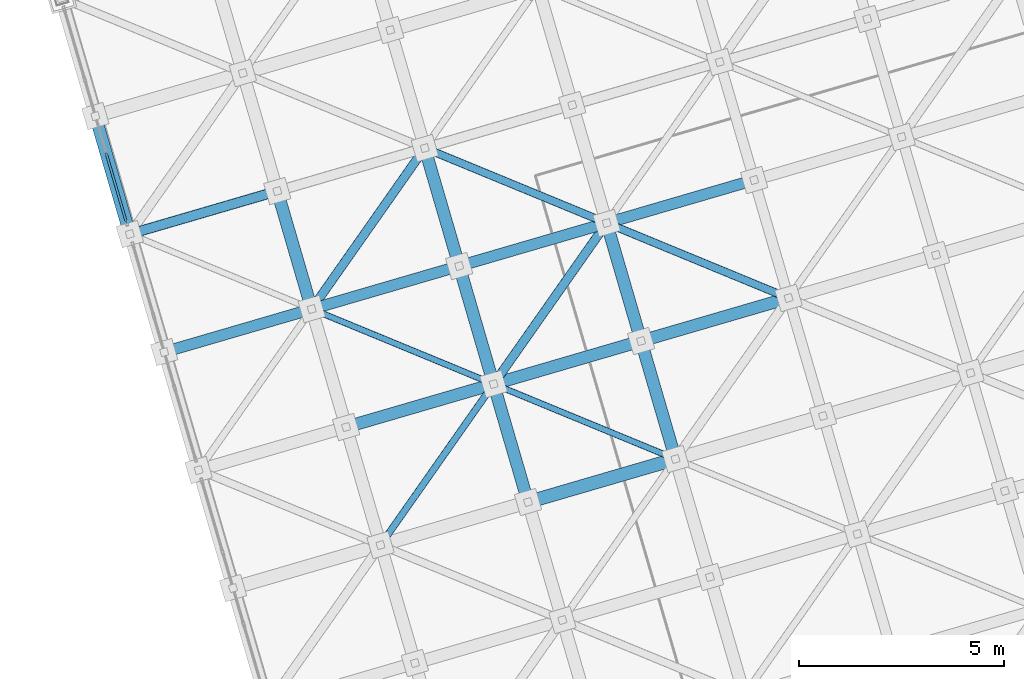
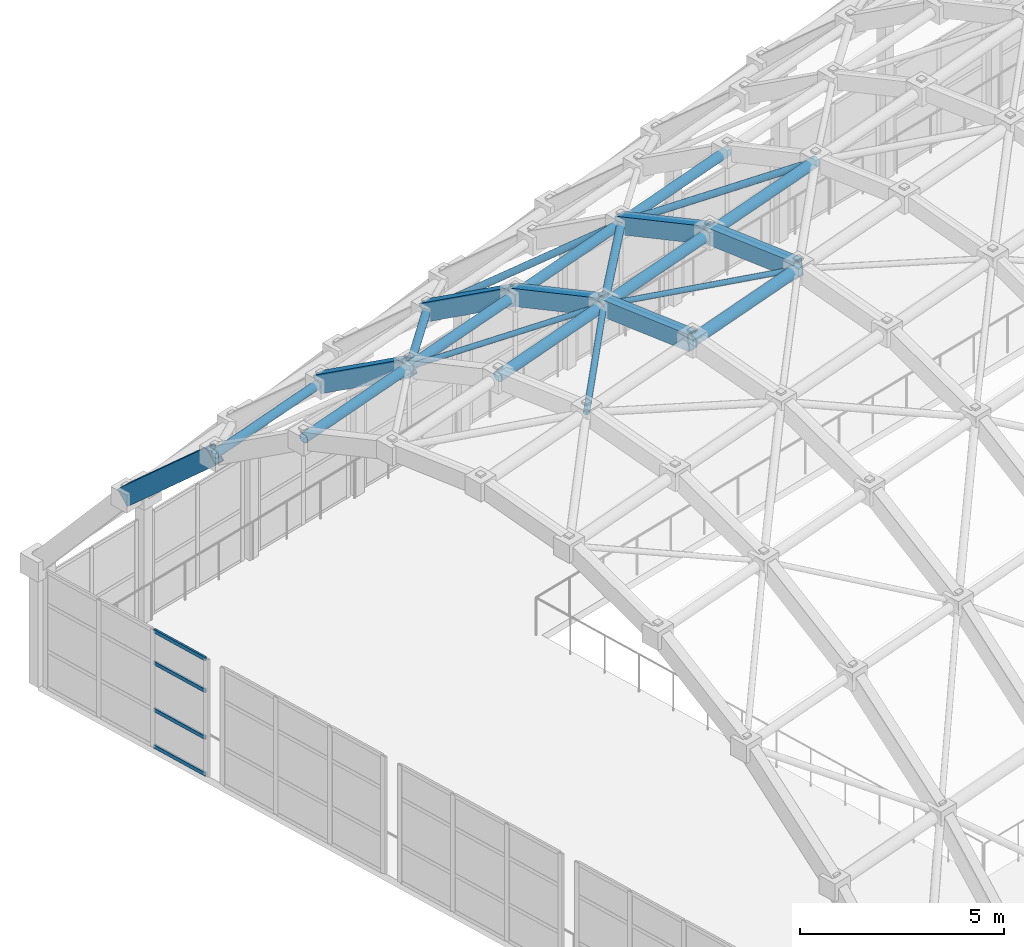
# One storey, part 50 of 248: 20 members, 7 beams, 1 element without a shape of its own.
"""IFC4 building model written with IfcOpenShell, lengths in metres."""

import ifcopenshell
import ifcopenshell.guid

model = None  # the IFC model being written
_history = None  # IfcOwnerHistory: only IFC2X3 demands one
_inside = {}  # id of a spatial element -> (the spatial element, [elements in it])
_under = {}  # id of a project, library or spatial element -> (it, [spatial elements below it])
_declared = {}  # id of a project -> (the project, [libraries it declares])
_typed = {}  # id of a type object -> (the type object, [elements of that type])
_made_of = {}  # id of a material, layer set ... -> (it, [elements and type objects made of it])


def new_model(schema):
    """Start an empty IFC model of exactly this schema.

    Asked for "IFC4X3", IfcOpenShell would pick the latest addendum, in which some entities
    have other attributes; the version numbers below select the first issue.
    IFC2X3 requires an IfcOwnerHistory on every rooted entity: one is made here for all.
    """
    global model, _history
    if schema == "IFC4X3":
        model = ifcopenshell.file(schema_version=(4, 3, 0, 0))
    else:
        model = ifcopenshell.file(schema=schema)
    _inside.clear()
    _under.clear()
    _declared.clear()
    _typed.clear()
    _made_of.clear()
    _history = None
    if model.schema == "IFC2X3":
        org = make("IfcOrganization", Name="unknown")
        user = make(
            "IfcPersonAndOrganization",
            ThePerson=make("IfcPerson", FamilyName="unknown"),
            TheOrganization=org,
        )
        app = make(
            "IfcApplication",
            ApplicationDeveloper=org,
            Version="unknown",
            ApplicationFullName="unknown",
            ApplicationIdentifier="unknown",
        )
        _history = make(
            "IfcOwnerHistory",
            OwningUser=user,
            OwningApplication=app,
            ChangeAction="ADDED",
            CreationDate=0,
        )
    return model


def make(cls, **values):
    """One entity of the class cls with the attributes given. An attribute that is None is left unset."""
    return model.create_entity(
        cls, **{name: value for name, value in values.items() if value is not None}
    )


def rooted(cls, **values):
    """An entity with a GlobalId (a new one), such as an element, a storey or a relation."""
    return make(cls, GlobalId=ifcopenshell.guid.new(), OwnerHistory=_history, **values)


def si_unit(unit_type, name, prefix=None):
    """IfcSIUnit, for example si_unit("LENGTHUNIT", "METRE", prefix="MILLI")."""
    return make("IfcSIUnit", UnitType=unit_type, Prefix=prefix, Name=name)


def assignment(units):
    """IfcUnitAssignment: the units of a project."""
    return None if units is None else make("IfcUnitAssignment", Units=units)


def point(xyz):
    """IfcCartesianPoint."""
    return None if xyz is None else make("IfcCartesianPoint", Coordinates=xyz)


def direction(xyz):
    """IfcDirection."""
    return None if xyz is None else make("IfcDirection", DirectionRatios=xyz)


def frame(location, z_axis=None, x_axis=None):
    """IfcAxis2Placement3D, a coordinate frame: its origin and axes. An axis left out is left unset."""
    return make(
        "IfcAxis2Placement3D",
        Location=point(location),
        Axis=direction(z_axis),
        RefDirection=direction(x_axis),
    )


def frame_2d(location, x_axis=None):
    """IfcAxis2Placement2D, a coordinate frame in the plane: its origin and x axis."""
    return make(
        "IfcAxis2Placement2D", Location=point(location), RefDirection=direction(x_axis)
    )


def origin():
    """The frame at (0, 0, 0) with its axes left unset."""
    return frame((0.0, 0.0, 0.0))


def origin_2d():
    """The frame at (0, 0) in the plane with its x axis left unset."""
    return frame_2d((0.0, 0.0))


def place(relative_to, where):
    """IfcLocalPlacement: puts the frame where relative to a parent placement (None: the world)."""
    return make(
        "IfcLocalPlacement", PlacementRelTo=relative_to, RelativePlacement=where
    )


def context(
    kind, dimensions, precision=None, world=None, true_north=None, identifier=None
):
    """IfcGeometricRepresentationContext, for example the 3D "Model" context."""
    return make(
        "IfcGeometricRepresentationContext",
        ContextIdentifier=identifier,
        ContextType=kind,
        CoordinateSpaceDimension=dimensions,
        Precision=precision,
        WorldCoordinateSystem=world,
        TrueNorth=true_north,
    )


def subcontext(parent, identifier, kind, view, scale=None):
    """IfcGeometricRepresentationSubContext, for example "Body" below "Model"."""
    return make(
        "IfcGeometricRepresentationSubContext",
        ContextIdentifier=identifier,
        ContextType=kind,
        ParentContext=parent,
        TargetScale=scale,
        TargetView=view,
    )


def project(units=None, contexts=None):
    """IfcProject with its units and contexts."""
    return rooted(
        "IfcProject",
        Name="project",
        RepresentationContexts=contexts,
        UnitsInContext=assignment(units),
    )


def spatial(cls, under=None, at=None, **own):
    """A site, building, storey or space (cls), placed at a placement, below another one or the project."""
    s = rooted(cls, ObjectPlacement=at, **own)
    if under is not None:
        _under.setdefault(under.id(), (under, []))[1].append(s)
    return s


def profile(cls, at=None, kind="AREA", **sizes):
    """A parametric profile (cls). Its sizes go by their IFC names, for example OverallWidth=200.0."""
    return make(cls, ProfileType=kind, Position=at, **sizes)


def hollow_rectangle(**sizes):
    """IfcRectangleHollowProfileDef."""
    return profile("IfcRectangleHollowProfileDef", **sizes)


def hollow_circle(**sizes):
    """IfcCircleHollowProfileDef."""
    return profile("IfcCircleHollowProfileDef", **sizes)


def extrude(swept, where, along, depth):
    """IfcExtrudedAreaSolid: the profile swept, set in the frame where, extruded along a direction by depth."""
    return make(
        "IfcExtrudedAreaSolid",
        SweptArea=swept,
        Position=where,
        ExtrudedDirection=direction(along),
        Depth=depth,
    )


def shape(context_of_items, identifier, shape_type, items):
    """IfcShapeRepresentation: the items that make up one representation, for example the "Body"."""
    return make(
        "IfcShapeRepresentation",
        ContextOfItems=context_of_items,
        RepresentationIdentifier=identifier,
        RepresentationType=shape_type,
        Items=items,
    )


def material(Name=None, Category=None):
    """IfcMaterial."""
    return make("IfcMaterial", Name=Name, Category=Category)


def layer(
    of_material, thickness, ventilated=None, Name=None, Category=None, Priority=None
):
    """IfcMaterialLayer: one layer of a wall or slab, of a material (None: an air gap)."""
    return make(
        "IfcMaterialLayer",
        Material=of_material,
        LayerThickness=thickness,
        IsVentilated=ventilated,
        Name=Name,
        Category=Category,
        Priority=Priority,
    )


def layer_set(layers, Name=None):
    """IfcMaterialLayerSet."""
    return make("IfcMaterialLayerSet", MaterialLayers=layers, LayerSetName=Name)


def material_profile(
    of_material, cross_section, Name=None, Category=None, Priority=None
):
    """IfcMaterialProfile: a cross section and its material."""
    return make(
        "IfcMaterialProfile",
        Name=Name,
        Material=of_material,
        Profile=cross_section,
        Priority=Priority,
        Category=Category,
    )


def profile_set(profiles, Name=None, composite=None):
    """IfcMaterialProfileSet."""
    return make(
        "IfcMaterialProfileSet",
        Name=Name,
        MaterialProfiles=profiles,
        CompositeProfile=composite,
    )


def made_of(thing, what):
    """Note that an element or type object is made of a material, layer set ...; save() writes the relation."""
    if what is not None:
        _made_of.setdefault(what.id(), (what, []))[1].append(thing)
    return thing


def type_object(cls, material=None, **own):
    """A type object (cls), such as IfcWallType, which elements share."""
    return made_of(rooted(cls, **own), material)


def element(
    cls,
    number,
    at=None,
    inside=None,
    cuts=None,
    type_object=None,
    material=None,
    context=None,
    identifier="Body",
    shape_type=None,
    held_by="IfcProductDefinitionShape",
    body=None,
    shapes=None,
    **own,
):
    """One element of the class cls, such as IfcWall. Its Tag is "e" and its number.

    at: its placement. inside: the storey or other place that contains it. cuts: it is an
    opening in that element (IfcRelVoidsElement). A single representation is given by context,
    identifier, shape_type and body (its items); several are given by shapes. held_by: the class
    of the entity that holds the representations. save() writes the other relations.
    """
    e = rooted(cls, Tag="e%d" % number, ObjectPlacement=at, **own)
    if body is not None:
        shapes = [shape(context, identifier, shape_type, body)]
    if shapes is not None:
        e.Representation = make(held_by, Representations=shapes)
    if inside is not None:
        _inside.setdefault(inside.id(), (inside, []))[1].append(e)
    if cuts is not None:
        rooted(
            "IfcRelVoidsElement", RelatingBuildingElement=cuts, RelatedOpeningElement=e
        )
    if type_object is not None:
        _typed.setdefault(type_object.id(), (type_object, []))[1].append(e)
    return made_of(e, material)


def aggregate(whole, parts):
    """IfcRelAggregates: a whole, such as a stair, and the parts it consists of."""
    return rooted("IfcRelAggregates", RelatingObject=whole, RelatedObjects=parts)


def save(model, path):
    """Write the relations noted so far, then the file.

    IfcRelAggregates (storeys below a building ...), IfcRelContainedInSpatialStructure (elements
    in a storey), IfcRelDefinesByType, IfcRelAssociatesMaterial and IfcRelDeclares: one each for
    every whole, place, type object, material and project.
    """
    for whole, parts in _under.values():
        aggregate(whole, parts)
    for where, things in _inside.values():
        rooted(
            "IfcRelContainedInSpatialStructure",
            RelatedElements=things,
            RelatingStructure=where,
        )
    for kind, things in _typed.values():
        rooted("IfcRelDefinesByType", RelatedObjects=things, RelatingType=kind)
    for what, things in _made_of.values():
        rooted("IfcRelAssociatesMaterial", RelatedObjects=things, RelatingMaterial=what)
    for by, libraries in _declared.values():
        rooted("IfcRelDeclares", RelatingContext=by, RelatedDefinitions=libraries)
    model.write(path)


model = new_model("IFC4")

# Units and contexts
model_context = context("Model", 3, precision=1e-05, world=origin(), true_north=direction((0.0, 1.0)))
body_context = subcontext(model_context, "Body", "Model", "MODEL_VIEW")
ifc_project = project(units=[si_unit("LENGTHUNIT", "METRE"), si_unit("AREAUNIT", "SQUARE_METRE"), si_unit("VOLUMEUNIT", "CUBIC_METRE"), si_unit("PLANEANGLEUNIT", "RADIAN"), si_unit("MASSUNIT", "GRAM", prefix="KILO")], contexts=[model_context])

# Site, building, storey
site_placement = place(None, origin())
site = spatial("IfcSite", under=ifc_project, at=site_placement, CompositionType="ELEMENT")
building_placement = place(site_placement, origin())
building = spatial("IfcBuilding", under=site, at=building_placement, Name="Canggui Botanical Conservatory", CompositionType="ELEMENT")
storey_placement = place(building_placement, frame((0.0, 0.0, 5.39990234375)))
storey = spatial("IfcBuildingStorey", under=building, at=storey_placement, Name="L02", CompositionType="ELEMENT", Elevation=5.39990234375)

# Beams
ifc_material_1 = material(Name="Steel Q355C", Category="steel")
ifc_material_profile_1 = material_profile(ifc_material_1, hollow_rectangle(XDim=0.300048828125, YDim=0.5, WallThickness=0.01611328125, at=origin_2d()), Name="RHS 300x500x16")
ifc_profile_set_1 = profile_set([ifc_material_profile_1], Name="Steel Q355C")
beam_type = type_object("IfcBeamType", Name="BM-GJ01", PredefinedType="BEAM", material=ifc_profile_set_1)
beam_1_placement = place(storey_placement, frame((13.280029296875, 65.0400390625, 9.744140625), z_axis=(-0.208562233276, 0.714966609628, -0.66732641336), x_axis=(-0.959989061447, -0.280037500885, 0.0)))
element("IfcBeam", 1, at=beam_1_placement, inside=storey, type_object=beam_type, Name="Conservatory Stepped-Arch Rib GJ-01 Segment 9", PredefinedType="BEAM", context=body_context, shape_type="SweptSolid", body=[
    extrude(hollow_rectangle(XDim=0.300048828125, YDim=0.5, WallThickness=0.01611328125, at=origin_2d()), origin(), (0.0, 0.0, 1.0), 4.028076171875),
])
beam_2_placement = place(storey_placement, frame((17.719970703125, 63.2099609375, 11.9140625), z_axis=(-0.23585528661, 0.808597737907, -0.539019463499), x_axis=(-0.959995442804, -0.2800156242, 0.0)))
element("IfcBeam", 2, at=beam_2_placement, inside=storey, type_object=beam_type, Name="Conservatory Stepped-Arch Rib GJ-02 Segment 8", PredefinedType="BEAM", context=body_context, shape_type="SweptSolid", body=[
    extrude(hollow_rectangle(XDim=0.300048828125, YDim=0.5, WallThickness=0.01611328125, at=origin_2d()), origin(), (0.0, 0.0, 1.0), 3.561767578125),
])
beam_3_placement = place(storey_placement, frame((23.0, 58.5, 13.7001953125), z_axis=(-0.277770725345, 0.952218388891, -0.12697859662), x_axis=(-0.959989061447, -0.280037500885, 0.0)))
element("IfcBeam", 3, at=beam_3_placement, inside=storey, type_object=beam_type, Name="Conservatory Stepped-Arch Rib GJ-03 Segment 6", PredefinedType="BEAM", context=body_context, shape_type="SweptSolid", body=[
    extrude(hollow_rectangle(XDim=0.300048828125, YDim=0.5, WallThickness=0.01611328125, at=origin_2d()), origin(), (0.0, 0.0, 1.0), 3.0244140625),
])
beam_4_placement = place(storey_placement, frame((22.159912109375, 61.3798828125, 13.316162109375), z_axis=(-0.261333170082, 0.896205641703, -0.35849745047), x_axis=(-0.960017315421, -0.279940626011, 0.0)))
element("IfcBeam", 4, at=beam_4_placement, inside=storey, type_object=beam_type, Name="Conservatory Stepped-Arch Rib GJ-03 Segment 7", PredefinedType="BEAM", context=body_context, shape_type="SweptSolid", body=[
    extrude(hollow_rectangle(XDim=0.300048828125, YDim=0.5, WallThickness=0.01611328125, at=origin_2d()), origin(), (0.0, 0.0, 1.0), 3.213623046875),
])
beam_5_placement = place(storey_placement, frame((21.320068359375, 64.260009765625, 12.1640625), z_axis=(-0.235868359053, 0.808574008543, -0.539049339028), x_axis=(-0.959989061447, -0.280037500885, 0.0)))
element("IfcBeam", 5, at=beam_5_placement, inside=storey, type_object=beam_type, Name="Conservatory Stepped-Arch Rib GJ-03 Segment 8", PredefinedType="BEAM", context=body_context, shape_type="SweptSolid", body=[
    extrude(hollow_rectangle(XDim=0.300048828125, YDim=0.5, WallThickness=0.01611328125, at=origin_2d()), origin(), (0.0, 0.0, 1.0), 3.561767578125),
])
beam_6_placement = place(storey_placement, frame((26.60009765625, 59.550048828125, 13.9501953125), z_axis=(-0.277770725345, 0.952218388891, -0.12697859662), x_axis=(-0.959989061447, -0.280037500885, 0.0)))
element("IfcBeam", 6, at=beam_6_placement, inside=storey, type_object=beam_type, Name="Conservatory Stepped-Arch Rib GJ-04 Segment 6", PredefinedType="BEAM", context=body_context, shape_type="SweptSolid", body=[
    extrude(hollow_rectangle(XDim=0.300048828125, YDim=0.5, WallThickness=0.01611328125, at=origin_2d()), origin(), (0.0, 0.0, 1.0), 3.0244140625),
])
beam_7_placement = place(storey_placement, frame((25.760009765625, 62.429931640625, 13.566162109375), z_axis=(-0.261403948618, 0.896187847093, -0.358490332324), x_axis=(-0.959995442804, -0.2800156242, 0.0)))
element("IfcBeam", 7, at=beam_7_placement, inside=storey, type_object=beam_type, Name="Conservatory Stepped-Arch Rib GJ-04 Segment 7", PredefinedType="BEAM", context=body_context, shape_type="SweptSolid", body=[
    extrude(hollow_rectangle(XDim=0.300048828125, YDim=0.5, WallThickness=0.01611328125, at=origin_2d()), origin(), (0.0, 0.0, 1.0), 3.2138671875),
])

# Curtain wall, members
ifc_material_2 = material(Name="Thermally Broken Aluminium", Category="aluminium")
ifc_layer = layer(ifc_material_2, 0.14990234375, Name="Thermally Broken Aluminium", Category="aluminium")
ifc_layer_set = layer_set([ifc_layer], Name="Thermally Broken Aluminium")
curtain_wall_type = type_object("IfcCurtainWallType", Name="CW-UNIT-C", PredefinedType="USERDEFINED", material=ifc_layer_set)
curtain_wall_placement = place(storey_placement, origin())
curtain_wall = element("IfcCurtainWall", 8, at=curtain_wall_placement, inside=storey, type_object=curtain_wall_type, Name="Facade Curtain Wall CW-CONS-GABLE-L02-S-05", ObjectType="UNITISED CURTAIN WALL", PredefinedType="USERDEFINED")
ifc_material_profile_2 = material_profile(ifc_material_2, hollow_rectangle(XDim=0.054931640625, YDim=0.110107421875, WallThickness=0.0029296875, at=origin_2d()), Name="CWT 55x110x3")
ifc_profile_set_2 = profile_set([ifc_material_profile_2], Name="Thermally Broken Aluminium")
member_type_1 = type_object("IfcMemberType", Name="CWT-03", PredefinedType="USERDEFINED", material=ifc_profile_set_2)
member_1_placement = place(storey_placement, frame((13.193115234375, 65.337646484375, 0.027587890625), z_axis=(-0.279951599808, 0.960014115399, 0.0), x_axis=(-0.960014115399, -0.279951599808, 0.0)))
member_1 = element("IfcMember", 9, at=member_1_placement, type_object=member_type_1, Name="CW-03 transom 1.1", ObjectType="TRANSOM", PredefinedType="USERDEFINED", context=body_context, shape_type="SweptSolid", body=[
    extrude(hollow_rectangle(XDim=0.054931640625, YDim=0.110107421875, WallThickness=0.0029296875, at=origin_2d()), origin(), (0.0, 0.0, 1.0), 1.743408203125),
])
member_2_placement = place(storey_placement, frame((13.193115234375, 65.337646484375, 1.1201171875), z_axis=(-0.279951599808, 0.960014115399, 0.0), x_axis=(-0.960014115399, -0.279951599808, 0.0)))
member_2 = element("IfcMember", 10, at=member_2_placement, type_object=member_type_1, Name="CW-03 transom 1.2", ObjectType="TRANSOM", PredefinedType="USERDEFINED", context=body_context, shape_type="SweptSolid", body=[
    extrude(hollow_rectangle(XDim=0.054931640625, YDim=0.110107421875, WallThickness=0.0029296875, at=origin_2d()), origin(), (0.0, 0.0, 1.0), 1.743408203125),
])
member_3_placement = place(storey_placement, frame((13.193115234375, 65.337646484375, 2.52001953125), z_axis=(-0.279951599808, 0.960014115399, 0.0), x_axis=(-0.960014115399, -0.279951599808, 0.0)))
member_3 = element("IfcMember", 11, at=member_3_placement, type_object=member_type_1, Name="CW-03 transom 1.3", ObjectType="TRANSOM", PredefinedType="USERDEFINED", context=body_context, shape_type="SweptSolid", body=[
    extrude(hollow_rectangle(XDim=0.054931640625, YDim=0.110107421875, WallThickness=0.0029296875, at=origin_2d()), origin(), (0.0, 0.0, 1.0), 1.743408203125),
])
member_4_placement = place(storey_placement, frame((13.193115234375, 65.337646484375, 3.47265625), z_axis=(-0.279951599808, 0.960014115399, 0.0), x_axis=(-0.960014115399, -0.279951599808, 0.0)))
member_4 = element("IfcMember", 12, at=member_4_placement, type_object=member_type_1, Name="CW-03 transom 1.4", ObjectType="TRANSOM", PredefinedType="USERDEFINED", context=body_context, shape_type="SweptSolid", body=[
    extrude(hollow_rectangle(XDim=0.054931640625, YDim=0.110107421875, WallThickness=0.0029296875, at=origin_2d()), origin(), (0.0, 0.0, 1.0), 1.743408203125),
])
aggregate(curtain_wall, [member_1, member_2, member_3, member_4])

# Members
ifc_material_profile_3 = material_profile(ifc_material_1, hollow_circle(Radius=0.16259765625, WallThickness=0.011962890625, at=origin_2d()), Name="CHS 325x12")
ifc_profile_set_3 = profile_set([ifc_material_profile_3], Name="Steel Q355C")
member_type_2 = type_object("IfcMemberType", Name="MEM-GSC01", PredefinedType="CHORD", material=ifc_profile_set_3)
member_5_placement = place(storey_placement, frame((23.0, 58.5, 13.7001953125), z_axis=(0.957872417874, 0.27938486839, 0.066517113516), x_axis=(-0.280004999853, 0.959998541695, 0.0)))
element("IfcMember", 13, at=member_5_placement, inside=storey, type_object=member_type_2, Name="Conservatory Gridshell Longitudinal Chord 3-5", PredefinedType="CHORD", context=body_context, shape_type="SweptSolid", body=[
    extrude(hollow_circle(Radius=0.16259765625, WallThickness=0.011962890625, at=origin_2d()), origin(), (0.0, 0.0, 1.0), 3.758544921875),
])
ifc_material_profile_4 = material_profile(ifc_material_1, hollow_circle(Radius=0.1494140625, WallThickness=0.011962890625, at=origin_2d()), Name="CHS 299x12")
ifc_profile_set_4 = profile_set([ifc_material_profile_4], Name="Steel Q355C")
member_type_3 = type_object("IfcMemberType", Name="MEM-GSC02", PredefinedType="CHORD", material=ifc_profile_set_4)
member_6_placement = place(storey_placement, frame((18.56005859375, 60.330078125, 13.066162109375), z_axis=(0.95788444389, 0.279342360714, 0.066522459854), x_axis=(-0.279962497833, 0.960010937337, 0.0)))
element("IfcMember", 14, at=member_6_placement, inside=storey, type_object=member_type_3, Name="Conservatory Gridshell Longitudinal Chord 2-6", PredefinedType="CHORD", context=body_context, shape_type="SweptSolid", body=[
    extrude(hollow_circle(Radius=0.1494140625, WallThickness=0.011962890625, at=origin_2d()), origin(), (0.0, 0.0, 1.0), 3.758056640625),
])
for number, where, z_axis, x_axis, name in (
    (15, (22.159912109375, 61.3798828125, 13.316162109375), (0.957872417874, 0.27938486839, 0.066517113516), (-0.280004999853, 0.959998541695, 0.0), "Conservatory Gridshell Longitudinal Chord 3-6"),
    (16, (25.760009765625, 62.429931640625, 13.566162109375), (0.957872417874, 0.27938486839, 0.066517113516), (-0.280004999853, 0.959998541695, 0.0), "Conservatory Gridshell Longitudinal Chord 4-6"),
):
    element("IfcMember", number, at=place(storey_placement, frame(where, z_axis=z_axis, x_axis=x_axis)), inside=storey, type_object=member_type_3, Name=name, PredefinedType="CHORD", context=body_context, shape_type="SweptSolid", body=[
        extrude(hollow_circle(Radius=0.1494140625, WallThickness=0.011962890625, at=origin_2d()), origin(), (0.0, 0.0, 1.0), 3.758544921875),
    ])
ifc_material_profile_5 = material_profile(ifc_material_1, hollow_circle(Radius=0.136474609375, WallThickness=0.010009765625, at=origin_2d()), Name="CHS 273x10")
ifc_profile_set_5 = profile_set([ifc_material_profile_5], Name="Steel Q355C")
member_type_4 = type_object("IfcMemberType", Name="MEM-GSC03", PredefinedType="CHORD", material=ifc_profile_set_5)
member_7_placement = place(storey_placement, frame((14.1201171875, 62.159912109375, 11.6640625), z_axis=(0.957867059601, 0.279402253194, 0.066521252562), x_axis=(-0.280022500685, 0.959993437014, 0.0)))
element("IfcMember", 17, at=member_7_placement, inside=storey, type_object=member_type_4, Name="Conservatory Gridshell Longitudinal Chord 1-7", PredefinedType="CHORD", context=body_context, shape_type="SweptSolid", body=[
    extrude(hollow_circle(Radius=0.136474609375, WallThickness=0.010009765625, at=origin_2d()), origin(), (0.0, 0.0, 1.0), 3.75830078125),
])
member_8_placement = place(storey_placement, frame((17.719970703125, 63.2099609375, 11.9140625), z_axis=(0.957872417874, 0.27938486839, 0.066517113516), x_axis=(-0.280004999853, 0.959998541695, 0.0)))
element("IfcMember", 18, at=member_8_placement, inside=storey, type_object=member_type_4, Name="Conservatory Gridshell Longitudinal Chord 2-7", PredefinedType="CHORD", context=body_context, shape_type="SweptSolid", body=[
    extrude(hollow_circle(Radius=0.136474609375, WallThickness=0.010009765625, at=origin_2d()), origin(), (0.0, 0.0, 1.0), 3.758544921875),
])
member_9_placement = place(storey_placement, frame((21.320068359375, 64.260009765625, 12.1640625), z_axis=(0.957867059601, 0.279402253194, 0.066521252562), x_axis=(-0.280022500685, 0.959993437014, 0.0)))
element("IfcMember", 19, at=member_9_placement, inside=storey, type_object=member_type_4, Name="Conservatory Gridshell Longitudinal Chord 3-7", PredefinedType="CHORD", context=body_context, shape_type="SweptSolid", body=[
    extrude(hollow_circle(Radius=0.136474609375, WallThickness=0.010009765625, at=origin_2d()), origin(), (0.0, 0.0, 1.0), 3.75830078125),
])
member_10_placement = place(storey_placement, frame((24.919921875, 65.31005859375, 12.4140625), z_axis=(0.957872417874, 0.27938486839, 0.066517113516), x_axis=(-0.280004999853, 0.959998541695, 0.0)))
element("IfcMember", 20, at=member_10_placement, inside=storey, type_object=member_type_4, Name="Conservatory Gridshell Longitudinal Chord 4-7", PredefinedType="CHORD", context=body_context, shape_type="SweptSolid", body=[
    extrude(hollow_circle(Radius=0.136474609375, WallThickness=0.010009765625, at=origin_2d()), origin(), (0.0, 0.0, 1.0), 3.758544921875),
])
ifc_material_profile_6 = material_profile(ifc_material_1, hollow_circle(Radius=0.12255859375, WallThickness=0.010009765625, at=origin_2d()), Name="CHS 245x10")
ifc_profile_set_6 = profile_set([ifc_material_profile_6], Name="Steel Q355C")
member_type_5 = type_object("IfcMemberType", Name="MEM-GSC04", PredefinedType="CHORD", material=ifc_profile_set_6)
member_11_placement = place(storey_placement, frame((13.280029296875, 65.0400390625, 9.744140625), z_axis=(0.957867059601, 0.279402253194, 0.066521252562), x_axis=(-0.280022500685, 0.959993437014, 0.0)))
element("IfcMember", 21, at=member_11_placement, inside=storey, type_object=member_type_5, Name="Conservatory Gridshell Longitudinal Chord 1-8", PredefinedType="CHORD", context=body_context, shape_type="SweptSolid", body=[
    extrude(hollow_circle(Radius=0.12255859375, WallThickness=0.010009765625, at=origin_2d()), origin(), (0.0, 0.0, 1.0), 3.75830078125),
])
ifc_material_profile_7 = material_profile(ifc_material_1, hollow_circle(Radius=0.109619140625, WallThickness=0.008056640625, at=origin_2d()), Name="CHS 219x8")
ifc_profile_set_7 = profile_set([ifc_material_profile_7], Name="Steel Q355C")
member_type_6 = type_object("IfcMemberType", Name="MEM-GSD01", PredefinedType="RAFTER", material=ifc_profile_set_7)
member_12_placement = place(storey_placement, frame((17.719970703125, 63.2099609375, 11.9140625), z_axis=(0.542843744059, 0.77294610775, -0.328443273716), x_axis=(-0.818344854073, 0.574727500484, 0.0)))
element("IfcMember", 22, at=member_12_placement, inside=storey, type_object=member_type_6, Name="Conservatory Gridshell Diagrid Rafter 2-8", PredefinedType="RAFTER", context=body_context, shape_type="SweptSolid", body=[
    extrude(hollow_circle(Radius=0.109619140625, WallThickness=0.008056640625, at=origin_2d()), origin(), (0.0, 0.0, 1.0), 5.08447265625),
])
member_13_placement = place(storey_placement, frame((22.159912109375, 61.3798828125, 13.316162109375), z_axis=(0.564825372808, 0.804295342898, -0.184611212077), x_axis=(-0.818361645525, 0.574703590674, 0.0)))
element("IfcMember", 23, at=member_13_placement, inside=storey, type_object=member_type_6, Name="Conservatory Gridshell Diagrid Rafter 3-7", PredefinedType="RAFTER", context=body_context, shape_type="SweptSolid", body=[
    extrude(hollow_circle(Radius=0.109619140625, WallThickness=0.008056640625, at=origin_2d()), origin(), (0.0, 0.0, 1.0), 4.886474609375),
])
ifc_material_profile_8 = material_profile(ifc_material_1, hollow_circle(Radius=0.096923828125, WallThickness=0.008056640625, at=origin_2d()), Name="CHS 194x8")
ifc_profile_set_8 = profile_set([ifc_material_profile_8], Name="Steel Q355C")
member_type_7 = type_object("IfcMemberType", Name="MEM-GSD02", PredefinedType="RAFTER", material=ifc_profile_set_8)
member_14_placement = place(storey_placement, frame((20.47998046875, 67.139892578125, 10.244140625), z_axis=(0.842538630516, -0.347235622771, 0.41177187661), x_axis=(0.381038726983, 0.924559077907, 0.0)))
element("IfcMember", 24, at=member_14_placement, inside=storey, type_object=member_type_7, Name="Conservatory Gridshell Diagrid Rafter 3-8", PredefinedType="RAFTER", context=body_context, shape_type="SweptSolid", body=[
    extrude(hollow_circle(Radius=0.096923828125, WallThickness=0.008056640625, at=origin_2d()), origin(), (0.0, 0.0, 1.0), 5.269775390625),
])
member_15_placement = place(storey_placement, frame((24.919921875, 65.31005859375, 12.4140625), z_axis=(0.887499147094, -0.365793897103, 0.280250046833), x_axis=(0.381064272615, 0.924548549367, 0.0)))
element("IfcMember", 25, at=member_15_placement, inside=storey, type_object=member_type_7, Name="Conservatory Gridshell Diagrid Rafter 4-7", PredefinedType="RAFTER", context=body_context, shape_type="SweptSolid", body=[
    extrude(hollow_circle(Radius=0.096923828125, WallThickness=0.008056640625, at=origin_2d()), origin(), (0.0, 0.0, 1.0), 5.0029296875),
])
ifc_material_profile_9 = material_profile(ifc_material_1, hollow_circle(Radius=0.083984375, WallThickness=0.008056640625, at=origin_2d()), Name="CHS 168x8")
ifc_profile_set_9 = profile_set([ifc_material_profile_9], Name="Steel Q355C")
member_type_8 = type_object("IfcMemberType", Name="MEM-GSD03", PredefinedType="RAFTER", material=ifc_profile_set_9)
member_16_placement = place(storey_placement, frame((19.39990234375, 57.449951171875, 13.4501953125), z_axis=(0.574503779946, 0.818026302149, -0.027899387456), x_axis=(-0.818344854073, 0.574727500484, 0.0)))
element("IfcMember", 26, at=member_16_placement, inside=storey, type_object=member_type_8, Name="Conservatory Gridshell Diagrid Rafter 2-6", PredefinedType="RAFTER", context=body_context, shape_type="SweptSolid", body=[
    extrude(hollow_circle(Radius=0.083984375, WallThickness=0.008056640625, at=origin_2d()), origin(), (0.0, 0.0, 1.0), 4.80419921875),
])
ifc_material_profile_10 = material_profile(ifc_material_1, hollow_circle(Radius=0.075927734375, WallThickness=0.006103515625, at=origin_2d()), Name="CHS 152x6")
ifc_profile_set_10 = profile_set([ifc_material_profile_10], Name="Steel Q355C")
member_type_9 = type_object("IfcMemberType", Name="MEM-GSD04", PredefinedType="RAFTER", material=ifc_profile_set_10)
member_17_placement = place(storey_placement, frame((17.719970703125, 63.2099609375, 11.9140625), z_axis=(0.88748878428, -0.365809739743, 0.280262184544), x_axis=(0.381082183428, 0.924541166998, 0.0)))
element("IfcMember", 27, at=member_17_placement, inside=storey, type_object=member_type_9, Name="Conservatory Gridshell Diagrid Rafter 2-7", PredefinedType="RAFTER", context=body_context, shape_type="SweptSolid", body=[
    extrude(hollow_circle(Radius=0.075927734375, WallThickness=0.006103515625, at=origin_2d()), origin(), (0.0, 0.0, 1.0), 5.0029296875),
])
member_18_placement = place(storey_placement, frame((22.159912109375, 61.3798828125, 13.316162109375), z_axis=(0.916612676299, -0.377743003731, 0.130887068805), x_axis=(0.381020817519, 0.924566458735, 0.0)))
element("IfcMember", 28, at=member_18_placement, inside=storey, type_object=member_type_9, Name="Conservatory Gridshell Diagrid Rafter 3-6", PredefinedType="RAFTER", context=body_context, shape_type="SweptSolid", body=[
    extrude(hollow_circle(Radius=0.075927734375, WallThickness=0.006103515625, at=origin_2d()), origin(), (0.0, 0.0, 1.0), 4.84423828125),
])

save(model, "model.ifc")
